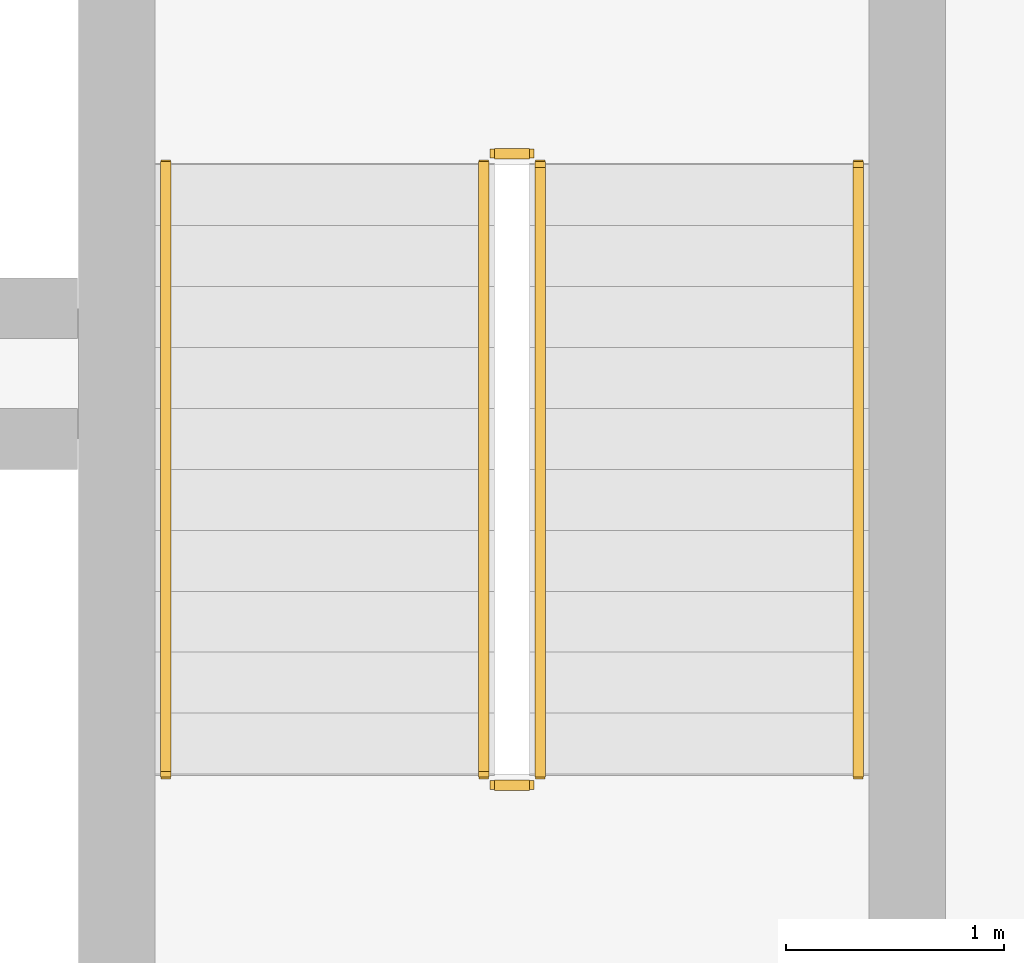
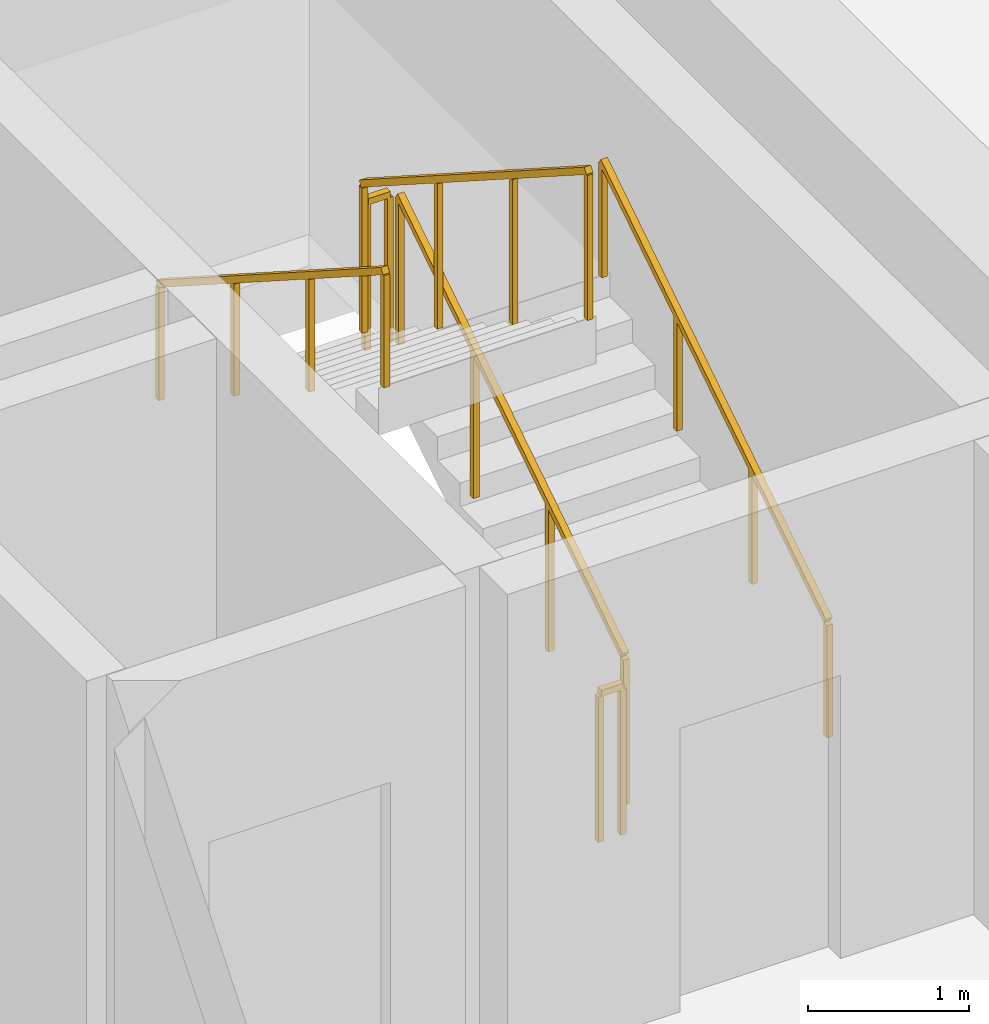
# One storey, part 11 of 11: 6 railings.
"""IFC4 building model written with IfcOpenShell, lengths in metres."""

import ifcopenshell
import ifcopenshell.guid

model = None  # the IFC model being written
_history = None  # IfcOwnerHistory: only IFC2X3 demands one
_inside = {}  # id of a spatial element -> (the spatial element, [elements in it])
_under = {}  # id of a project, library or spatial element -> (it, [spatial elements below it])
_declared = {}  # id of a project -> (the project, [libraries it declares])
_typed = {}  # id of a type object -> (the type object, [elements of that type])
_made_of = {}  # id of a material, layer set ... -> (it, [elements and type objects made of it])


def new_model(schema):
    """Start an empty IFC model of exactly this schema.

    Asked for "IFC4X3", IfcOpenShell would pick the latest addendum, in which some entities
    have other attributes; the version numbers below select the first issue.
    IFC2X3 requires an IfcOwnerHistory on every rooted entity: one is made here for all.
    """
    global model, _history
    if schema == "IFC4X3":
        model = ifcopenshell.file(schema_version=(4, 3, 0, 0))
    else:
        model = ifcopenshell.file(schema=schema)
    _inside.clear()
    _under.clear()
    _declared.clear()
    _typed.clear()
    _made_of.clear()
    _history = None
    if model.schema == "IFC2X3":
        org = make("IfcOrganization", Name="unknown")
        user = make(
            "IfcPersonAndOrganization",
            ThePerson=make("IfcPerson", FamilyName="unknown"),
            TheOrganization=org,
        )
        app = make(
            "IfcApplication",
            ApplicationDeveloper=org,
            Version="unknown",
            ApplicationFullName="unknown",
            ApplicationIdentifier="unknown",
        )
        _history = make(
            "IfcOwnerHistory",
            OwningUser=user,
            OwningApplication=app,
            ChangeAction="ADDED",
            CreationDate=0,
        )
    return model


def make(cls, **values):
    """One entity of the class cls with the attributes given. An attribute that is None is left unset."""
    return model.create_entity(
        cls, **{name: value for name, value in values.items() if value is not None}
    )


def rooted(cls, **values):
    """An entity with a GlobalId (a new one), such as an element, a storey or a relation."""
    return make(cls, GlobalId=ifcopenshell.guid.new(), OwnerHistory=_history, **values)


def si_unit(unit_type, name, prefix=None):
    """IfcSIUnit, for example si_unit("LENGTHUNIT", "METRE", prefix="MILLI")."""
    return make("IfcSIUnit", UnitType=unit_type, Prefix=prefix, Name=name)


def assignment(units):
    """IfcUnitAssignment: the units of a project."""
    return None if units is None else make("IfcUnitAssignment", Units=units)


def point(xyz):
    """IfcCartesianPoint."""
    return None if xyz is None else make("IfcCartesianPoint", Coordinates=xyz)


def direction(xyz):
    """IfcDirection."""
    return None if xyz is None else make("IfcDirection", DirectionRatios=xyz)


def frame(location, z_axis=None, x_axis=None):
    """IfcAxis2Placement3D, a coordinate frame: its origin and axes. An axis left out is left unset."""
    return make(
        "IfcAxis2Placement3D",
        Location=point(location),
        Axis=direction(z_axis),
        RefDirection=direction(x_axis),
    )


def frame_2d(location, x_axis=None):
    """IfcAxis2Placement2D, a coordinate frame in the plane: its origin and x axis."""
    return make(
        "IfcAxis2Placement2D", Location=point(location), RefDirection=direction(x_axis)
    )


def origin():
    """The frame at (0, 0, 0) with its axes left unset."""
    return frame((0.0, 0.0, 0.0))


def origin_2d():
    """The frame at (0, 0) in the plane with its x axis left unset."""
    return frame_2d((0.0, 0.0))


def place(relative_to, where):
    """IfcLocalPlacement: puts the frame where relative to a parent placement (None: the world)."""
    return make(
        "IfcLocalPlacement", PlacementRelTo=relative_to, RelativePlacement=where
    )


def context(
    kind, dimensions, precision=None, world=None, true_north=None, identifier=None
):
    """IfcGeometricRepresentationContext, for example the 3D "Model" context."""
    return make(
        "IfcGeometricRepresentationContext",
        ContextIdentifier=identifier,
        ContextType=kind,
        CoordinateSpaceDimension=dimensions,
        Precision=precision,
        WorldCoordinateSystem=world,
        TrueNorth=true_north,
    )


def subcontext(parent, identifier, kind, view, scale=None):
    """IfcGeometricRepresentationSubContext, for example "Body" below "Model"."""
    return make(
        "IfcGeometricRepresentationSubContext",
        ContextIdentifier=identifier,
        ContextType=kind,
        ParentContext=parent,
        TargetScale=scale,
        TargetView=view,
    )


def project(units=None, contexts=None):
    """IfcProject with its units and contexts."""
    return rooted(
        "IfcProject",
        Name="project",
        RepresentationContexts=contexts,
        UnitsInContext=assignment(units),
    )


def spatial(cls, under=None, at=None, **own):
    """A site, building, storey or space (cls), placed at a placement, below another one or the project."""
    s = rooted(cls, ObjectPlacement=at, **own)
    if under is not None:
        _under.setdefault(under.id(), (under, []))[1].append(s)
    return s


def profile(cls, at=None, kind="AREA", **sizes):
    """A parametric profile (cls). Its sizes go by their IFC names, for example OverallWidth=200.0."""
    return make(cls, ProfileType=kind, Position=at, **sizes)


def rectangle(**sizes):
    """IfcRectangleProfileDef."""
    return profile("IfcRectangleProfileDef", **sizes)


def extrude(swept, where, along, depth):
    """IfcExtrudedAreaSolid: the profile swept, set in the frame where, extruded along a direction by depth."""
    return make(
        "IfcExtrudedAreaSolid",
        SweptArea=swept,
        Position=where,
        ExtrudedDirection=direction(along),
        Depth=depth,
    )


def shape(context_of_items, identifier, shape_type, items):
    """IfcShapeRepresentation: the items that make up one representation, for example the "Body"."""
    return make(
        "IfcShapeRepresentation",
        ContextOfItems=context_of_items,
        RepresentationIdentifier=identifier,
        RepresentationType=shape_type,
        Items=items,
    )


def material(Name=None, Category=None):
    """IfcMaterial."""
    return make("IfcMaterial", Name=Name, Category=Category)


def made_of(thing, what):
    """Note that an element or type object is made of a material, layer set ...; save() writes the relation."""
    if what is not None:
        _made_of.setdefault(what.id(), (what, []))[1].append(thing)
    return thing


def type_object(cls, material=None, **own):
    """A type object (cls), such as IfcWallType, which elements share."""
    return made_of(rooted(cls, **own), material)


def element(
    cls,
    number,
    at=None,
    inside=None,
    cuts=None,
    type_object=None,
    material=None,
    context=None,
    identifier="Body",
    shape_type=None,
    held_by="IfcProductDefinitionShape",
    body=None,
    shapes=None,
    **own,
):
    """One element of the class cls, such as IfcWall. Its Tag is "e" and its number.

    at: its placement. inside: the storey or other place that contains it. cuts: it is an
    opening in that element (IfcRelVoidsElement). A single representation is given by context,
    identifier, shape_type and body (its items); several are given by shapes. held_by: the class
    of the entity that holds the representations. save() writes the other relations.
    """
    e = rooted(cls, Tag="e%d" % number, ObjectPlacement=at, **own)
    if body is not None:
        shapes = [shape(context, identifier, shape_type, body)]
    if shapes is not None:
        e.Representation = make(held_by, Representations=shapes)
    if inside is not None:
        _inside.setdefault(inside.id(), (inside, []))[1].append(e)
    if cuts is not None:
        rooted(
            "IfcRelVoidsElement", RelatingBuildingElement=cuts, RelatedOpeningElement=e
        )
    if type_object is not None:
        _typed.setdefault(type_object.id(), (type_object, []))[1].append(e)
    return made_of(e, material)


def aggregate(whole, parts):
    """IfcRelAggregates: a whole, such as a stair, and the parts it consists of."""
    return rooted("IfcRelAggregates", RelatingObject=whole, RelatedObjects=parts)


def save(model, path):
    """Write the relations noted so far, then the file.

    IfcRelAggregates (storeys below a building ...), IfcRelContainedInSpatialStructure (elements
    in a storey), IfcRelDefinesByType, IfcRelAssociatesMaterial and IfcRelDeclares: one each for
    every whole, place, type object, material and project.
    """
    for whole, parts in _under.values():
        aggregate(whole, parts)
    for where, things in _inside.values():
        rooted(
            "IfcRelContainedInSpatialStructure",
            RelatedElements=things,
            RelatingStructure=where,
        )
    for kind, things in _typed.values():
        rooted("IfcRelDefinesByType", RelatedObjects=things, RelatingType=kind)
    for what, things in _made_of.values():
        rooted("IfcRelAssociatesMaterial", RelatedObjects=things, RelatingMaterial=what)
    for by, libraries in _declared.values():
        rooted("IfcRelDeclares", RelatingContext=by, RelatedDefinitions=libraries)
    model.write(path)


model = new_model("IFC4")

# Units and contexts
model_context = context("Model", 3, precision=1e-05, world=origin(), true_north=direction((0.0, 1.0)))
body_context = subcontext(model_context, "Body", "Model", "MODEL_VIEW")
ifc_project = project(units=[si_unit("LENGTHUNIT", "METRE"), si_unit("AREAUNIT", "SQUARE_METRE"), si_unit("VOLUMEUNIT", "CUBIC_METRE"), si_unit("PLANEANGLEUNIT", "RADIAN"), si_unit("MASSUNIT", "GRAM", prefix="KILO")], contexts=[model_context])

# Site, building, storey
site_placement = place(None, origin())
site = spatial("IfcSite", under=ifc_project, at=site_placement, CompositionType="ELEMENT")
building_placement = place(site_placement, origin())
building = spatial("IfcBuilding", under=site, at=building_placement, Name="Kaelvorn Grand Hotel", CompositionType="ELEMENT")
storey_placement = place(building_placement, frame((0.0, 0.0, 276.550048828125)))
storey = spatial("IfcBuildingStorey", under=building, at=storey_placement, Name="L68", CompositionType="ELEMENT", Elevation=276.550048828125)

# Railings
ifc_material = material(Name="Stainless Steel", Category="steel")
railing_type_1 = type_object("IfcRailingType", Name="RL-HANDRAIL-900", PredefinedType="HANDRAIL", material=ifc_material)
railing_1_placement = place(storey_placement, frame((66.550048828125, 41.760009765625, 0.179443359375)))
element("IfcRailing", 1, at=railing_1_placement, inside=storey, type_object=railing_type_1, Name="L68 ST3 stair handrail 1", PredefinedType="HANDRAIL", context=body_context, shape_type="SweptSolid", body=[
    extrude(rectangle(XDim=0.048095703125, YDim=0.048095703125, at=origin_2d()), frame((0.0, 0.0, 0.8759765625), z_axis=(0.0, 0.841809871826, 0.539774156196), x_axis=(-1.0, 0.0, 0.0)), (0.0, 0.0, 1.0), 3.326171875),
    extrude(rectangle(XDim=0.0419921875, YDim=0.0419921875, at=origin_2d()), origin(), (0.0, 0.0, 1.0), 0.851806640625),
    extrude(rectangle(XDim=0.0419921875, YDim=0.0419921875, at=origin_2d()), frame((0.0, 0.933349609375, 0.598388671875)), (0.0, 0.0, 1.0), 0.851806640625),
    extrude(rectangle(XDim=0.0419921875, YDim=0.0419921875, at=origin_2d()), frame((0.0, 1.86669921875, 1.197021484375)), (0.0, 0.0, 1.0), 0.851806640625),
    extrude(rectangle(XDim=0.0419921875, YDim=0.0419921875, at=origin_2d()), frame((0.0, 2.800048828125, 1.79541015625)), (0.0, 0.0, 1.0), 0.851806640625),
])
railing_2_placement = place(storey_placement, frame((63.3701171875, 44.56005859375, 2.154541015625)))
element("IfcRailing", 2, at=railing_2_placement, inside=storey, type_object=railing_type_1, Name="L68 ST3 stair handrail 2", PredefinedType="HANDRAIL", context=body_context, shape_type="SweptSolid", body=[
    extrude(rectangle(XDim=0.048095703125, YDim=0.048095703125, at=origin_2d()), frame((0.0, 0.0, 0.8759765625), z_axis=(0.0, -0.841809871826, 0.539774156196), x_axis=(1.0, 0.0, 0.0)), (0.0, 0.0, 1.0), 3.326171875),
    extrude(rectangle(XDim=0.0419921875, YDim=0.0419921875, at=origin_2d()), origin(), (0.0, 0.0, 1.0), 0.851806640625),
    extrude(rectangle(XDim=0.0419921875, YDim=0.0419921875, at=origin_2d()), frame((0.0, -0.933349609375, 0.598388671875)), (0.0, 0.0, 1.0), 0.851806640625),
    extrude(rectangle(XDim=0.0419921875, YDim=0.0419921875, at=origin_2d()), frame((0.0, -1.86669921875, 1.197021484375)), (0.0, 0.0, 1.0), 0.851806640625),
    extrude(rectangle(XDim=0.0419921875, YDim=0.0419921875, at=origin_2d()), frame((0.0, -2.800048828125, 1.79541015625)), (0.0, 0.0, 1.0), 0.851806640625),
])
railing_type_2 = type_object("IfcRailingType", Name="RL-STAIR-GUARD-1150", PredefinedType="BALUSTRADE", material=ifc_material)
railing_3_placement = place(storey_placement, frame((65.090087890625, 41.760009765625, 0.179443359375)))
element("IfcRailing", 3, at=railing_3_placement, inside=storey, type_object=railing_type_2, Name="L68 ST3 stair guard 1", PredefinedType="BALUSTRADE", context=body_context, shape_type="SweptSolid", body=[
    extrude(rectangle(XDim=0.048095703125, YDim=0.048095703125, at=origin_2d()), frame((0.0, 0.0, 1.1259765625), z_axis=(0.0, 0.841809871826, 0.539774156196), x_axis=(-1.0, 0.0, 0.0)), (0.0, 0.0, 1.0), 3.326171875),
    extrude(rectangle(XDim=0.0419921875, YDim=0.0419921875, at=origin_2d()), origin(), (0.0, 0.0, 1.0), 1.101806640625),
    extrude(rectangle(XDim=0.0419921875, YDim=0.0419921875, at=origin_2d()), frame((0.0, 0.933349609375, 0.598388671875)), (0.0, 0.0, 1.0), 1.101806640625),
    extrude(rectangle(XDim=0.0419921875, YDim=0.0419921875, at=origin_2d()), frame((0.0, 1.86669921875, 1.197021484375)), (0.0, 0.0, 1.0), 1.101806640625),
    extrude(rectangle(XDim=0.0419921875, YDim=0.0419921875, at=origin_2d()), frame((0.0, 2.800048828125, 1.79541015625)), (0.0, 0.0, 1.0), 1.101806640625),
])
railing_4_placement = place(storey_placement, frame((65.0400390625, 44.610107421875, 1.974853515625)))
element("IfcRailing", 4, at=railing_4_placement, inside=storey, type_object=railing_type_2, Name="L68 ST3 stair guard 2", PredefinedType="BALUSTRADE", context=body_context, shape_type="SweptSolid", body=[
    extrude(rectangle(XDim=0.048095703125, YDim=0.048095703125, at=origin_2d()), frame((0.0, 0.0, 1.1259765625), z_axis=(-1.0, 0.0, 0.0), x_axis=(0.0, -1.0, 0.0)), (0.0, 0.0, 1.0), 0.16015625),
    extrude(rectangle(XDim=0.0419921875, YDim=0.0419921875, at=origin_2d()), origin(), (0.0, 0.0, 1.0), 1.101806640625),
    extrude(rectangle(XDim=0.0419921875, YDim=0.0419921875, at=origin_2d()), frame((-0.16015625, 0.0, 0.0)), (0.0, 0.0, 1.0), 1.101806640625),
])
railing_5_placement = place(storey_placement, frame((64.830078125, 44.56005859375, 2.154541015625)))
element("IfcRailing", 5, at=railing_5_placement, inside=storey, type_object=railing_type_2, Name="L68 ST3 stair guard 3", PredefinedType="BALUSTRADE", context=body_context, shape_type="SweptSolid", body=[
    extrude(rectangle(XDim=0.048095703125, YDim=0.048095703125, at=origin_2d()), frame((0.0, 0.0, 1.1259765625), z_axis=(0.0, -0.841809871826, 0.539774156196), x_axis=(1.0, 0.0, 0.0)), (0.0, 0.0, 1.0), 3.326171875),
    extrude(rectangle(XDim=0.0419921875, YDim=0.0419921875, at=origin_2d()), origin(), (0.0, 0.0, 1.0), 1.101806640625),
    extrude(rectangle(XDim=0.0419921875, YDim=0.0419921875, at=origin_2d()), frame((0.0, -0.933349609375, 0.598388671875)), (0.0, 0.0, 1.0), 1.101806640625),
    extrude(rectangle(XDim=0.0419921875, YDim=0.0419921875, at=origin_2d()), frame((0.0, -1.86669921875, 1.197021484375)), (0.0, 0.0, 1.0), 1.101806640625),
    extrude(rectangle(XDim=0.0419921875, YDim=0.0419921875, at=origin_2d()), frame((0.0, -2.800048828125, 1.79541015625)), (0.0, 0.0, 1.0), 1.101806640625),
])
railing_6_placement = place(storey_placement, frame((65.0400390625, 41.7099609375, 0.0)))
element("IfcRailing", 6, at=railing_6_placement, inside=storey, type_object=railing_type_2, Name="L68 ST3 stair guard 4", PredefinedType="BALUSTRADE", context=body_context, shape_type="SweptSolid", body=[
    extrude(rectangle(XDim=0.048095703125, YDim=0.048095703125, at=origin_2d()), frame((0.0, 0.0, 1.1259765625), z_axis=(-1.0, 0.0, 0.0), x_axis=(0.0, -1.0, 0.0)), (0.0, 0.0, 1.0), 0.16015625),
    extrude(rectangle(XDim=0.0419921875, YDim=0.0419921875, at=origin_2d()), origin(), (0.0, 0.0, 1.0), 1.101806640625),
    extrude(rectangle(XDim=0.0419921875, YDim=0.0419921875, at=origin_2d()), frame((-0.16015625, 0.0, 0.0)), (0.0, 0.0, 1.0), 1.101806640625),
])

save(model, "model.ifc")
